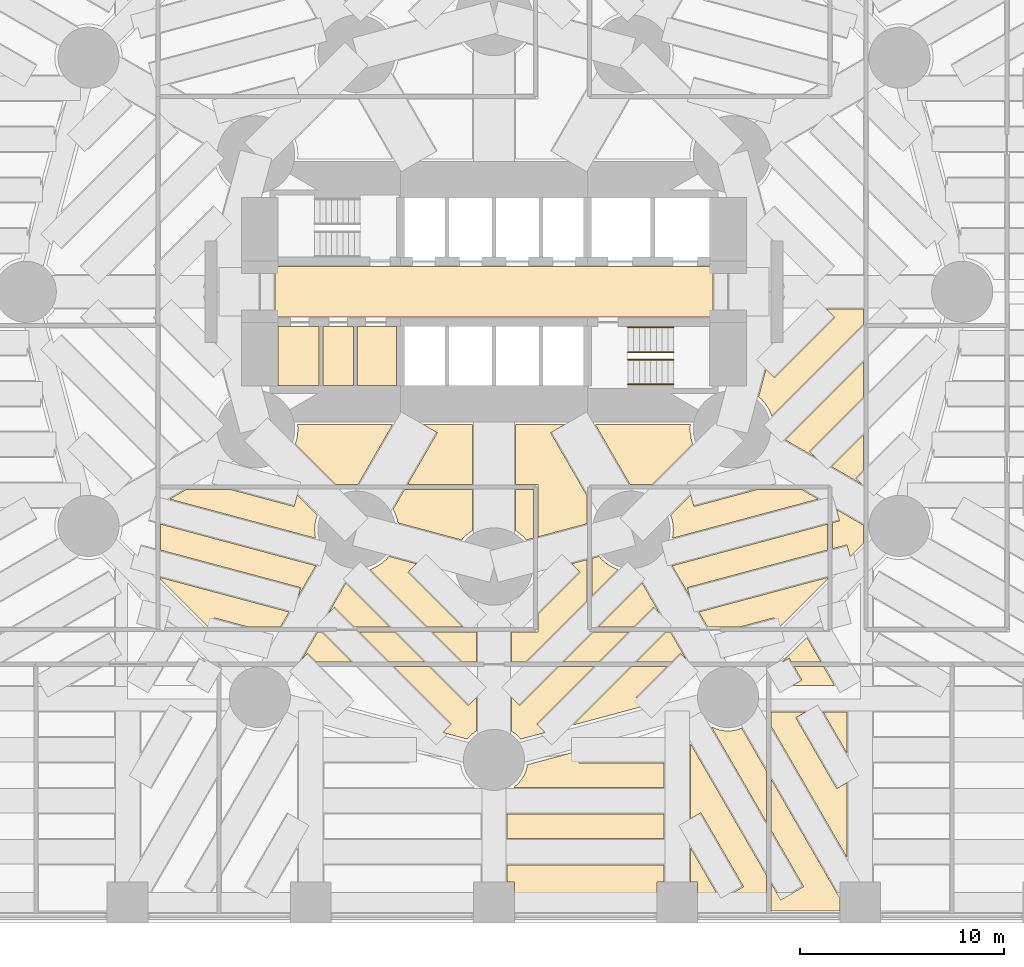
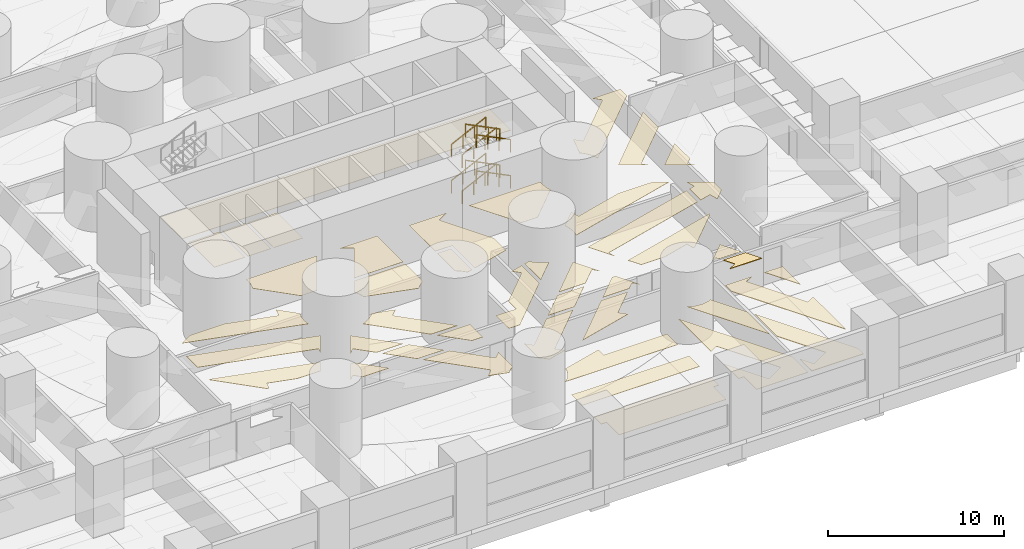
# One storey, part 13 of 17: 43 coverings, 8 railings.
"""IFC4 building model written with IfcOpenShell, lengths in metres."""

import ifcopenshell
import ifcopenshell.guid

model = None  # the IFC model being written
_history = None  # IfcOwnerHistory: only IFC2X3 demands one
_inside = {}  # id of a spatial element -> (the spatial element, [elements in it])
_under = {}  # id of a project, library or spatial element -> (it, [spatial elements below it])
_declared = {}  # id of a project -> (the project, [libraries it declares])
_typed = {}  # id of a type object -> (the type object, [elements of that type])
_made_of = {}  # id of a material, layer set ... -> (it, [elements and type objects made of it])


def new_model(schema):
    """Start an empty IFC model of exactly this schema.

    Asked for "IFC4X3", IfcOpenShell would pick the latest addendum, in which some entities
    have other attributes; the version numbers below select the first issue.
    IFC2X3 requires an IfcOwnerHistory on every rooted entity: one is made here for all.
    """
    global model, _history
    if schema == "IFC4X3":
        model = ifcopenshell.file(schema_version=(4, 3, 0, 0))
    else:
        model = ifcopenshell.file(schema=schema)
    _inside.clear()
    _under.clear()
    _declared.clear()
    _typed.clear()
    _made_of.clear()
    _history = None
    if model.schema == "IFC2X3":
        org = make("IfcOrganization", Name="unknown")
        user = make(
            "IfcPersonAndOrganization",
            ThePerson=make("IfcPerson", FamilyName="unknown"),
            TheOrganization=org,
        )
        app = make(
            "IfcApplication",
            ApplicationDeveloper=org,
            Version="unknown",
            ApplicationFullName="unknown",
            ApplicationIdentifier="unknown",
        )
        _history = make(
            "IfcOwnerHistory",
            OwningUser=user,
            OwningApplication=app,
            ChangeAction="ADDED",
            CreationDate=0,
        )
    return model


def make(cls, **values):
    """One entity of the class cls with the attributes given. An attribute that is None is left unset."""
    return model.create_entity(
        cls, **{name: value for name, value in values.items() if value is not None}
    )


def rooted(cls, **values):
    """An entity with a GlobalId (a new one), such as an element, a storey or a relation."""
    return make(cls, GlobalId=ifcopenshell.guid.new(), OwnerHistory=_history, **values)


def si_unit(unit_type, name, prefix=None):
    """IfcSIUnit, for example si_unit("LENGTHUNIT", "METRE", prefix="MILLI")."""
    return make("IfcSIUnit", UnitType=unit_type, Prefix=prefix, Name=name)


def assignment(units):
    """IfcUnitAssignment: the units of a project."""
    return None if units is None else make("IfcUnitAssignment", Units=units)


def point(xyz):
    """IfcCartesianPoint."""
    return None if xyz is None else make("IfcCartesianPoint", Coordinates=xyz)


def direction(xyz):
    """IfcDirection."""
    return None if xyz is None else make("IfcDirection", DirectionRatios=xyz)


def frame(location, z_axis=None, x_axis=None):
    """IfcAxis2Placement3D, a coordinate frame: its origin and axes. An axis left out is left unset."""
    return make(
        "IfcAxis2Placement3D",
        Location=point(location),
        Axis=direction(z_axis),
        RefDirection=direction(x_axis),
    )


def frame_2d(location, x_axis=None):
    """IfcAxis2Placement2D, a coordinate frame in the plane: its origin and x axis."""
    return make(
        "IfcAxis2Placement2D", Location=point(location), RefDirection=direction(x_axis)
    )


def origin():
    """The frame at (0, 0, 0) with its axes left unset."""
    return frame((0.0, 0.0, 0.0))


def origin_2d():
    """The frame at (0, 0) in the plane with its x axis left unset."""
    return frame_2d((0.0, 0.0))


def place(relative_to, where):
    """IfcLocalPlacement: puts the frame where relative to a parent placement (None: the world)."""
    return make(
        "IfcLocalPlacement", PlacementRelTo=relative_to, RelativePlacement=where
    )


def context(
    kind, dimensions, precision=None, world=None, true_north=None, identifier=None
):
    """IfcGeometricRepresentationContext, for example the 3D "Model" context."""
    return make(
        "IfcGeometricRepresentationContext",
        ContextIdentifier=identifier,
        ContextType=kind,
        CoordinateSpaceDimension=dimensions,
        Precision=precision,
        WorldCoordinateSystem=world,
        TrueNorth=true_north,
    )


def subcontext(parent, identifier, kind, view, scale=None):
    """IfcGeometricRepresentationSubContext, for example "Body" below "Model"."""
    return make(
        "IfcGeometricRepresentationSubContext",
        ContextIdentifier=identifier,
        ContextType=kind,
        ParentContext=parent,
        TargetScale=scale,
        TargetView=view,
    )


def project(units=None, contexts=None):
    """IfcProject with its units and contexts."""
    return rooted(
        "IfcProject",
        Name="project",
        RepresentationContexts=contexts,
        UnitsInContext=assignment(units),
    )


def spatial(cls, under=None, at=None, **own):
    """A site, building, storey or space (cls), placed at a placement, below another one or the project."""
    s = rooted(cls, ObjectPlacement=at, **own)
    if under is not None:
        _under.setdefault(under.id(), (under, []))[1].append(s)
    return s


def polyline(points):
    """IfcPolyline through the points."""
    return make("IfcPolyline", Points=[point(p) for p in points])


def profile(cls, at=None, kind="AREA", **sizes):
    """A parametric profile (cls). Its sizes go by their IFC names, for example OverallWidth=200.0."""
    return make(cls, ProfileType=kind, Position=at, **sizes)


def circle(**sizes):
    """IfcCircleProfileDef."""
    return profile("IfcCircleProfileDef", **sizes)


def outline(outer, holes=None, kind="AREA"):
    """IfcArbitraryClosedProfileDef: a profile drawn as a closed curve; with holes, ...WithVoids."""
    if holes is None:
        return make("IfcArbitraryClosedProfileDef", ProfileType=kind, OuterCurve=outer)
    return make(
        "IfcArbitraryProfileDefWithVoids",
        ProfileType=kind,
        OuterCurve=outer,
        InnerCurves=holes,
    )


def extrude(swept, where, along, depth):
    """IfcExtrudedAreaSolid: the profile swept, set in the frame where, extruded along a direction by depth."""
    return make(
        "IfcExtrudedAreaSolid",
        SweptArea=swept,
        Position=where,
        ExtrudedDirection=direction(along),
        Depth=depth,
    )


def shape(context_of_items, identifier, shape_type, items):
    """IfcShapeRepresentation: the items that make up one representation, for example the "Body"."""
    return make(
        "IfcShapeRepresentation",
        ContextOfItems=context_of_items,
        RepresentationIdentifier=identifier,
        RepresentationType=shape_type,
        Items=items,
    )


def material(Name=None, Category=None):
    """IfcMaterial."""
    return make("IfcMaterial", Name=Name, Category=Category)


def layer(
    of_material, thickness, ventilated=None, Name=None, Category=None, Priority=None
):
    """IfcMaterialLayer: one layer of a wall or slab, of a material (None: an air gap)."""
    return make(
        "IfcMaterialLayer",
        Material=of_material,
        LayerThickness=thickness,
        IsVentilated=ventilated,
        Name=Name,
        Category=Category,
        Priority=Priority,
    )


def layer_set(layers, Name=None):
    """IfcMaterialLayerSet."""
    return make("IfcMaterialLayerSet", MaterialLayers=layers, LayerSetName=Name)


def made_of(thing, what):
    """Note that an element or type object is made of a material, layer set ...; save() writes the relation."""
    if what is not None:
        _made_of.setdefault(what.id(), (what, []))[1].append(thing)
    return thing


def type_object(cls, material=None, **own):
    """A type object (cls), such as IfcWallType, which elements share."""
    return made_of(rooted(cls, **own), material)


def element(
    cls,
    number,
    at=None,
    inside=None,
    cuts=None,
    type_object=None,
    material=None,
    context=None,
    identifier="Body",
    shape_type=None,
    held_by="IfcProductDefinitionShape",
    body=None,
    shapes=None,
    **own,
):
    """One element of the class cls, such as IfcWall. Its Tag is "e" and its number.

    at: its placement. inside: the storey or other place that contains it. cuts: it is an
    opening in that element (IfcRelVoidsElement). A single representation is given by context,
    identifier, shape_type and body (its items); several are given by shapes. held_by: the class
    of the entity that holds the representations. save() writes the other relations.
    """
    e = rooted(cls, Tag="e%d" % number, ObjectPlacement=at, **own)
    if body is not None:
        shapes = [shape(context, identifier, shape_type, body)]
    if shapes is not None:
        e.Representation = make(held_by, Representations=shapes)
    if inside is not None:
        _inside.setdefault(inside.id(), (inside, []))[1].append(e)
    if cuts is not None:
        rooted(
            "IfcRelVoidsElement", RelatingBuildingElement=cuts, RelatedOpeningElement=e
        )
    if type_object is not None:
        _typed.setdefault(type_object.id(), (type_object, []))[1].append(e)
    return made_of(e, material)


def aggregate(whole, parts):
    """IfcRelAggregates: a whole, such as a stair, and the parts it consists of."""
    return rooted("IfcRelAggregates", RelatingObject=whole, RelatedObjects=parts)


def save(model, path):
    """Write the relations noted so far, then the file.

    IfcRelAggregates (storeys below a building ...), IfcRelContainedInSpatialStructure (elements
    in a storey), IfcRelDefinesByType, IfcRelAssociatesMaterial and IfcRelDeclares: one each for
    every whole, place, type object, material and project.
    """
    for whole, parts in _under.values():
        aggregate(whole, parts)
    for where, things in _inside.values():
        rooted(
            "IfcRelContainedInSpatialStructure",
            RelatedElements=things,
            RelatingStructure=where,
        )
    for kind, things in _typed.values():
        rooted("IfcRelDefinesByType", RelatedObjects=things, RelatingType=kind)
    for what, things in _made_of.values():
        rooted("IfcRelAssociatesMaterial", RelatedObjects=things, RelatingMaterial=what)
    for by, libraries in _declared.values():
        rooted("IfcRelDeclares", RelatingContext=by, RelatedDefinitions=libraries)
    model.write(path)


model = new_model("IFC4")

# Units and contexts
model_context = context("Model", 3, precision=1e-05, world=origin(), true_north=direction((0.0, 1.0)))
body_context = subcontext(model_context, "Body", "Model", "MODEL_VIEW")
ifc_project = project(units=[si_unit("LENGTHUNIT", "METRE"), si_unit("AREAUNIT", "SQUARE_METRE"), si_unit("VOLUMEUNIT", "CUBIC_METRE"), si_unit("PLANEANGLEUNIT", "RADIAN"), si_unit("MASSUNIT", "GRAM", prefix="KILO")], contexts=[model_context])

# Site, building, storey
site_placement = place(None, origin())
site = spatial("IfcSite", under=ifc_project, at=site_placement, CompositionType="ELEMENT")
building_placement = place(site_placement, origin())
building = spatial("IfcBuilding", under=site, at=building_placement, Name="Qaws Media Tower", CompositionType="ELEMENT")
storey_placement = place(building_placement, frame((0.0, 0.0, 15.0)))
storey = spatial("IfcBuildingStorey", under=building, at=storey_placement, Name="L02", CompositionType="ELEMENT", Elevation=15.0)

# Coverings
ifc_material_1 = material(Name="40 perforated acoustic panels with mineral wool backing, suspended", Category="mineral fibre")
ifc_layer_1 = layer(ifc_material_1, 0.0400390625)
ifc_layer_set_1 = layer_set([ifc_layer_1], Name="Acoustic panel ceiling 40")
covering_type_1 = type_object("IfcCoveringType", Name="Acoustic panel ceiling 40", PredefinedType="CEILING", material=ifc_layer_set_1)
covering_1_placement = place(storey_placement, frame((0.0, 0.0, 2.719970703125)))
element("IfcCovering", 1, at=covering_1_placement, inside=storey, type_object=covering_type_1, Name="CL3 ceiling L02-03 Edit suite 1", PredefinedType="CEILING", context=body_context, shape_type="SweptSolid", body=[
    extrude(outline(polyline([(77.0, 19.570068359375), (73.6201171875, 19.570068359375), (73.6201171875, 20.933349609375), (74.086669921875, 20.125), (75.21240234375, 20.77490234375), (73.6201171875, 23.533203125), (73.6201171875, 26.051025390625), (77.0, 20.19677734375), (77.0, 19.570068359375)])), origin(), (0.0, 0.0, 1.0), 0.0400390625),
])
covering_2_placement = place(storey_placement, frame((0.0, 0.0, 2.719970703125)))
element("IfcCovering", 2, at=covering_2_placement, inside=storey, type_object=covering_type_1, Name="CL3 ceiling L02-03 Edit suite 1", PredefinedType="CEILING", context=body_context, shape_type="SweptSolid", body=[
    extrude(outline(polyline([(73.6201171875, 29.35009765625), (75.30517578125, 29.35009765625), (74.828857421875, 29.074951171875), (76.837158203125, 25.596435546875), (77.35009765625, 25.892578125), (77.35009765625, 22.1904296875), (73.6201171875, 28.65087890625), (73.6201171875, 29.35009765625)])), origin(), (0.0, 0.0, 1.0), 0.0400390625),
])
covering_3_placement = place(storey_placement, frame((0.0, 0.0, 2.719970703125)))
element("IfcCovering", 3, at=covering_3_placement, inside=storey, type_object=covering_type_1, Name="CL3 ceiling L02-03 Edit suite 1", PredefinedType="CEILING", context=body_context, shape_type="SweptSolid", body=[
    extrude(outline(polyline([(76.201416015625, 31.580078125), (76.73828125, 30.64990234375), (74.649658203125, 30.64990234375), (75.1259765625, 30.925048828125), (74.747802734375, 31.580078125), (76.201416015625, 31.580078125)])), origin(), (0.0, 0.0, 1.0), 0.0400390625),
])
covering_4_placement = place(storey_placement, frame((0.0, 0.0, 2.719970703125)))
element("IfcCovering", 4, at=covering_4_placement, inside=storey, type_object=covering_type_1, Name="CL3 ceiling L02-03 Edit suite 1", PredefinedType="CEILING", context=body_context, shape_type="SweptSolid", body=[
    extrude(outline(polyline([(76.171142578125, 29.35009765625), (77.35009765625, 29.35009765625), (77.35009765625, 27.30810546875), (76.171142578125, 29.35009765625)])), origin(), (0.0, 0.0, 1.0), 0.0400390625),
])
ifc_material_2 = material(Name="600 x 600 mineral fibre tiles in exposed grid, suspended", Category="mineral fibre")
ifc_layer_2 = layer(ifc_material_2, 0.02001953125)
ifc_layer_set_2 = layer_set([ifc_layer_2], Name="Mineral fibre tile ceiling 20")
covering_type_2 = type_object("IfcCoveringType", Name="Mineral fibre tile ceiling 20", PredefinedType="CEILING", material=ifc_layer_set_2)
covering_5_placement = place(storey_placement, frame((0.0, 0.0, 2.719970703125)))
element("IfcCovering", 5, at=covering_5_placement, inside=storey, type_object=covering_type_2, Name="CL1 ceiling L02-00 Production foyer", PredefinedType="CEILING", context=body_context, shape_type="SweptSolid", body=[
    extrude(outline(polyline([(64.580078125, 38.607177734375), (62.169921875, 37.96142578125), (62.169921875, 40.52001953125), (61.050048828125, 40.52001953125), (61.050048828125, 43.47998046875), (63.4873046875, 43.47998046875), (62.78564453125, 43.074951171875), (64.580078125, 39.96728515625), (64.580078125, 38.607177734375)])), origin(), (0.0, 0.0, 1.0), 0.02001953125),
])
covering_6_placement = place(storey_placement, frame((0.0, 0.0, 2.719970703125)))
element("IfcCovering", 6, at=covering_6_placement, inside=storey, type_object=covering_type_2, Name="CL1 ceiling L02-00 Production foyer", PredefinedType="CEILING", context=body_context, shape_type="SweptSolid", body=[
    extrude(outline(polyline([(66.685791015625, 40.52001953125), (64.976806640625, 43.47998046875), (69.646484375, 43.47998046875), (69.63134765625, 43.25), (69.64892578125, 42.981201171875), (69.701416015625, 42.716796875), (69.76611328125, 42.52685546875), (67.75927734375, 40.52001953125), (66.685791015625, 40.52001953125)])), origin(), (0.0, 0.0, 1.0), 0.02001953125),
])
covering_7_placement = place(storey_placement, frame((0.0, 0.0, 2.719970703125)))
element("IfcCovering", 7, at=covering_7_placement, inside=storey, type_object=covering_type_2, Name="CL1 ceiling L02-00 Production foyer", PredefinedType="CEILING", context=body_context, shape_type="SweptSolid", body=[
    extrude(outline(polyline([(50.298583984375, 42.716796875), (50.35107421875, 42.981201171875), (50.36865234375, 43.25), (50.353515625, 43.47998046875), (55.023193359375, 43.47998046875), (53.314208984375, 40.52001953125), (52.24072265625, 40.52001953125), (50.23388671875, 42.52685546875), (50.298583984375, 42.716796875)])), origin(), (0.0, 0.0, 1.0), 0.02001953125),
])
covering_8_placement = place(storey_placement, frame((0.0, 0.0, 2.719970703125)))
element("IfcCovering", 8, at=covering_8_placement, inside=storey, type_object=covering_type_2, Name="CL1 ceiling L02-00 Production foyer", PredefinedType="CEILING", context=body_context, shape_type="SweptSolid", body=[
    extrude(outline(polyline([(78.14990234375, 48.40185546875), (73.643310546875, 43.89501953125), (73.594482421875, 44.038330078125), (73.475341796875, 44.280029296875), (73.32568359375, 44.50390625), (73.14794921875, 44.70654296875), (72.9970703125, 44.839111328125), (73.360595703125, 46.195068359375), (73.779296875, 45.7763671875), (76.743408203125, 48.740478515625), (76.333740234375, 49.14990234375), (78.14990234375, 49.14990234375), (78.14990234375, 48.40185546875)])), origin(), (0.0, 0.0, 1.0), 0.02001953125),
])
covering_9_placement = place(storey_placement, frame((0.0, 0.0, 2.719970703125)))
element("IfcCovering", 9, at=covering_9_placement, inside=storey, type_object=covering_type_2, Name="CL1 ceiling L02-00 Production foyer", PredefinedType="CEILING", context=body_context, shape_type="SweptSolid", body=[
    extrude(outline(polyline([(58.949951171875, 43.47998046875), (58.949951171875, 40.52001953125), (55.7392578125, 40.52001953125), (57.21435546875, 43.074951171875), (56.5126953125, 43.47998046875), (58.949951171875, 43.47998046875)])), origin(), (0.0, 0.0, 1.0), 0.02001953125),
])
covering_10_placement = place(storey_placement, frame((0.0, 0.0, 2.719970703125)))
element("IfcCovering", 10, at=covering_10_placement, inside=storey, type_object=covering_type_2, Name="CL1 ceiling L02-00 Production foyer", PredefinedType="CEILING", context=body_context, shape_type="SweptSolid", body=[
    extrude(outline(polyline([(60.85009765625, 31.820068359375), (60.85009765625, 33.280029296875), (61.236328125, 33.280029296875), (61.259521484375, 33.256591796875), (61.282958984375, 33.280029296875), (62.169921875, 33.280029296875), (62.169921875, 34.1669921875), (64.2236328125, 36.220703125), (63.804931640625, 36.639404296875), (64.580078125, 36.84716796875), (64.580078125, 34.831787109375), (61.568115234375, 31.820068359375), (60.85009765625, 31.820068359375)])), origin(), (0.0, 0.0, 1.0), 0.02001953125),
])
covering_11_placement = place(storey_placement, frame((0.0, 0.0, 2.719970703125)))
element("IfcCovering", 11, at=covering_11_placement, inside=storey, type_object=covering_type_2, Name="CL1 ceiling L02-00 Production foyer", PredefinedType="CEILING", context=body_context, shape_type="SweptSolid", body=[
    extrude(outline(polyline([(78.14990234375, 44.818115234375), (75.50048828125, 42.168701171875), (75.82373046875, 41.845703125), (74.3076171875, 42.720947265625), (78.14990234375, 46.563232421875), (78.14990234375, 44.818115234375)])), origin(), (0.0, 0.0, 1.0), 0.02001953125),
])
covering_12_placement = place(storey_placement, frame((0.0, 0.0, 2.719970703125)))
element("IfcCovering", 12, at=covering_12_placement, inside=storey, type_object=covering_type_2, Name="CL1 ceiling L02-00 Production foyer", PredefinedType="CEILING", context=body_context, shape_type="SweptSolid", body=[
    extrude(outline(polyline([(54.84814453125, 31.820068359375), (53.38818359375, 33.280029296875), (55.13330078125, 33.280029296875), (56.59326171875, 31.820068359375), (54.84814453125, 31.820068359375)])), origin(), (0.0, 0.0, 1.0), 0.02001953125),
])
covering_13_placement = place(storey_placement, frame((0.0, 0.0, 2.719970703125)))
element("IfcCovering", 13, at=covering_13_placement, inside=storey, type_object=covering_type_2, Name="CL1 ceiling L02-00 Production foyer", PredefinedType="CEILING", context=body_context, shape_type="SweptSolid", body=[
    extrude(outline(polyline([(63.40673828125, 31.820068359375), (64.86669921875, 33.280029296875), (66.61181640625, 33.280029296875), (65.15185546875, 31.820068359375), (63.40673828125, 31.820068359375)])), origin(), (0.0, 0.0, 1.0), 0.02001953125),
])
covering_14_placement = place(storey_placement, frame((0.0, 0.0, 2.719970703125)))
element("IfcCovering", 14, at=covering_14_placement, inside=storey, type_object=covering_type_2, Name="CL1 ceiling L02-00 Production foyer", PredefinedType="CEILING", context=body_context, shape_type="SweptSolid", body=[
    extrude(outline(polyline([(78.14990234375, 37.650634765625), (77.493408203125, 36.993896484375), (77.340087890625, 37.566162109375), (76.6201171875, 37.373291015625), (76.6201171875, 38.65087890625), (76.973876953125, 38.74560546875), (76.823974609375, 39.30517578125), (78.14990234375, 38.53955078125), (78.14990234375, 37.650634765625)])), origin(), (0.0, 0.0, 1.0), 0.02001953125),
])
covering_15_placement = place(storey_placement, frame((0.0, 0.0, 2.719970703125)))
element("IfcCovering", 15, at=covering_15_placement, inside=storey, type_object=covering_type_2, Name="CL1 ceiling L02-00 Production foyer", PredefinedType="CEILING", context=body_context, shape_type="SweptSolid", body=[
    extrude(outline(polyline([(58.431884765625, 31.820068359375), (56.9716796875, 33.280029296875), (58.717041015625, 33.280029296875), (58.740478515625, 33.256591796875), (58.763671875, 33.280029296875), (59.14990234375, 33.280029296875), (59.14990234375, 31.820068359375), (58.431884765625, 31.820068359375)])), origin(), (0.0, 0.0, 1.0), 0.02001953125),
])
covering_16_placement = place(storey_placement, frame((0.0, 0.0, 2.719970703125)))
element("IfcCovering", 16, at=covering_16_placement, inside=storey, type_object=covering_type_2, Name="CL1 ceiling L02-00 Production foyer", PredefinedType="CEILING", context=body_context, shape_type="SweptSolid", body=[
    extrude(outline(polyline([(66.990478515625, 31.820068359375), (68.450439453125, 33.280029296875), (68.671875, 33.280029296875), (69.466064453125, 31.904296875), (69.14306640625, 32.227294921875), (68.735595703125, 31.820068359375), (66.990478515625, 31.820068359375)])), origin(), (0.0, 0.0, 1.0), 0.02001953125),
])
covering_17_placement = place(storey_placement, frame((0.0, 0.0, 2.719970703125)))
element("IfcCovering", 17, at=covering_17_placement, inside=storey, type_object=covering_type_2, Name="CL1 ceiling L02-00 Production foyer", PredefinedType="CEILING", context=body_context, shape_type="SweptSolid", body=[
    extrude(outline(polyline([(51.264404296875, 31.820068359375), (50.85693359375, 32.227294921875), (50.533935546875, 31.904296875), (51.328125, 33.280029296875), (51.549560546875, 33.280029296875), (53.009521484375, 31.820068359375), (51.264404296875, 31.820068359375)])), origin(), (0.0, 0.0, 1.0), 0.02001953125),
])
covering_18_placement = place(storey_placement, frame((0.0, 0.0, 2.719970703125)))
element("IfcCovering", 18, at=covering_18_placement, inside=storey, type_object=covering_type_2, Name="CL1 ceiling L02-00 Production foyer", PredefinedType="CEILING", context=body_context, shape_type="SweptSolid", body=[
    extrude(outline(polyline([(78.14990234375, 41.234375), (77.772705078125, 40.85693359375), (78.095703125, 40.533935546875), (76.57958984375, 41.4091796875), (78.14990234375, 42.9794921875), (78.14990234375, 41.234375)])), origin(), (0.0, 0.0, 1.0), 0.02001953125),
])
covering_19_placement = place(storey_placement, frame((0.0, 0.0, 2.719970703125)))
element("IfcCovering", 19, at=covering_19_placement, inside=storey, type_object=covering_type_2, Name="CL1 ceiling L02-00 Production foyer", PredefinedType="CEILING", context=body_context, shape_type="SweptSolid", body=[
    extrude(outline(polyline([(74.609130859375, 31.820068359375), (74.505126953125, 32.0), (74.193115234375, 31.820068359375), (74.15771484375, 31.820068359375), (75.365478515625, 33.027587890625), (76.062744140625, 31.820068359375), (74.609130859375, 31.820068359375)])), origin(), (0.0, 0.0, 1.0), 0.02001953125),
])
ifc_material_3 = material(Name="Two layers 12.5 moisture-resistant plasterboard on suspended metal furring", Category="gypsum")
ifc_layer_3 = layer(ifc_material_3, 0.02490234375)
ifc_layer_set_3 = layer_set([ifc_layer_3], Name="Plasterboard ceiling 25")
covering_type_3 = type_object("IfcCoveringType", Name="Plasterboard ceiling 25", PredefinedType="CEILING", material=ifc_layer_set_3)
covering_20_placement = place(storey_placement, frame((0.0, 0.0, 2.719970703125)))
element("IfcCovering", 20, at=covering_20_placement, inside=storey, type_object=covering_type_3, Name="CL2 ceiling L02-C01 Lift lobby", PredefinedType="CEILING", context=body_context, shape_type="SweptSolid", body=[
    extrude(outline(polyline([(49.25, 48.75), (49.25, 51.25), (70.75, 51.25), (70.75, 48.75), (49.25, 48.75)])), origin(), (0.0, 0.0, 1.0), 0.025146484375),
])
covering_21_placement = place(storey_placement, frame((0.0, 0.0, 2.719970703125)))
element("IfcCovering", 21, at=covering_21_placement, inside=storey, type_object=covering_type_3, Name="CL2 ceiling L02-11 News production office", PredefinedType="CEILING", context=body_context, shape_type="SweptSolid", body=[
    extrude(outline(polyline([(43.6201171875, 38.58642578125), (51.248779296875, 36.54248046875), (50.37353515625, 35.0263671875), (50.49169921875, 35.467529296875), (43.6201171875, 37.308837890625), (43.6201171875, 38.58642578125)])), origin(), (0.0, 0.0, 1.0), 0.025146484375),
])
covering_22_placement = place(storey_placement, frame((0.0, 0.0, 2.719970703125)))
element("IfcCovering", 22, at=covering_22_placement, inside=storey, type_object=covering_type_3, Name="CL2 ceiling L02-11 News production office", PredefinedType="CEILING", context=body_context, shape_type="SweptSolid", body=[
    extrude(outline(polyline([(51.26025390625, 38.841796875), (51.20751953125, 38.577392578125), (51.18994140625, 38.30859375), (51.20751953125, 38.039794921875), (51.2373046875, 37.891357421875), (44.05859375, 39.814697265625), (44.864501953125, 40.280029296875), (47.090576171875, 40.280029296875), (50.1787109375, 39.452392578125), (50.331787109375, 40.024658203125), (51.32470703125, 39.031982421875), (51.26025390625, 38.841796875)])), origin(), (0.0, 0.0, 1.0), 0.025146484375),
])
covering_23_placement = place(storey_placement, frame((0.0, 0.0, 2.719970703125)))
element("IfcCovering", 23, at=covering_23_placement, inside=storey, type_object=covering_type_3, Name="CL2 ceiling L02-11 News production office", PredefinedType="CEILING", context=body_context, shape_type="SweptSolid", body=[
    extrude(outline(polyline([(55.23974609375, 38.841796875), (55.1533203125, 39.096923828125), (55.044677734375, 39.317138671875), (55.6005859375, 40.280029296875), (58.949951171875, 40.280029296875), (58.949951171875, 38.2705078125), (58.74609375, 38.13427734375), (58.54345703125, 37.95654296875), (58.410888671875, 37.8056640625), (55.279052734375, 38.64501953125), (55.23974609375, 38.841796875)])), origin(), (0.0, 0.0, 1.0), 0.025146484375),
])
covering_24_placement = place(storey_placement, frame((0.0, 0.0, 2.719970703125)))
element("IfcCovering", 24, at=covering_24_placement, inside=storey, type_object=covering_type_3, Name="CL2 ceiling L02-11 News production office", PredefinedType="CEILING", context=body_context, shape_type="SweptSolid", body=[
    extrude(outline(polyline([(47.96923828125, 33.52001953125), (46.24365234375, 33.982421875), (46.11962890625, 33.52001953125), (45.980712890625, 33.52001953125), (43.6201171875, 35.880615234375), (43.6201171875, 35.962890625), (49.93701171875, 34.2705078125), (49.50390625, 33.52001953125), (47.96923828125, 33.52001953125)])), origin(), (0.0, 0.0, 1.0), 0.025146484375),
])
covering_25_placement = place(storey_placement, frame((0.0, 0.0, 2.719970703125)))
element("IfcCovering", 25, at=covering_25_placement, inside=storey, type_object=covering_type_3, Name="CL2 ceiling L02-11 News production office", PredefinedType="CEILING", context=body_context, shape_type="SweptSolid", body=[
    extrude(outline(polyline([(54.038330078125, 36.405517578125), (54.280029296875, 36.524658203125), (54.50390625, 36.67431640625), (54.70654296875, 36.85205078125), (54.839111328125, 37.0029296875), (56.195068359375, 36.639404296875), (55.7763671875, 36.220703125), (58.47705078125, 33.52001953125), (56.731689453125, 33.52001953125), (53.89501953125, 36.356689453125), (54.038330078125, 36.405517578125)])), origin(), (0.0, 0.0, 1.0), 0.025146484375),
])
covering_26_placement = place(storey_placement, frame((0.0, 0.0, 2.719970703125)))
element("IfcCovering", 26, at=covering_26_placement, inside=storey, type_object=covering_type_3, Name="CL2 ceiling L02-11 News production office", PredefinedType="CEILING", context=body_context, shape_type="SweptSolid", body=[
    extrude(outline(polyline([(53.148193359375, 33.52001953125), (52.168701171875, 34.49951171875), (51.845703125, 34.17626953125), (52.720947265625, 35.6923828125), (54.893310546875, 33.52001953125), (53.148193359375, 33.52001953125)])), origin(), (0.0, 0.0, 1.0), 0.025146484375),
])
covering_27_placement = place(storey_placement, frame((0.0, 0.0, 2.719970703125)))
element("IfcCovering", 27, at=covering_27_placement, inside=storey, type_object=covering_type_3, Name="CL2 ceiling L02-11 News production office", PredefinedType="CEILING", context=body_context, shape_type="SweptSolid", body=[
    extrude(outline(polyline([(61.929931640625, 40.280029296875), (61.929931640625, 37.897216796875), (61.589111328125, 37.8056640625), (61.45654296875, 37.95654296875), (61.25390625, 38.13427734375), (61.050048828125, 38.2705078125), (61.050048828125, 40.280029296875), (61.929931640625, 40.280029296875)])), origin(), (0.0, 0.0, 1.0), 0.025146484375),
])
covering_28_placement = place(storey_placement, frame((0.0, 0.0, 2.719970703125)))
element("IfcCovering", 28, at=covering_28_placement, inside=storey, type_object=covering_type_3, Name="CL2 ceiling L02-14 Production management office", PredefinedType="CEILING", context=body_context, shape_type="SweptSolid", body=[
    extrude(outline(polyline([(68.0, 21.0), (68.0, 19.570068359375), (61.0, 19.570068359375), (61.0, 21.0), (60.64990234375, 21.0), (60.64990234375, 21.85009765625), (68.35009765625, 21.85009765625), (68.35009765625, 21.0), (68.0, 21.0)])), origin(), (0.0, 0.0, 1.0), 0.025146484375),
])
covering_29_placement = place(storey_placement, frame((0.0, 0.0, 2.719970703125)))
element("IfcCovering", 29, at=covering_29_placement, inside=storey, type_object=covering_type_3, Name="CL2 ceiling L02-14 Production management office", PredefinedType="CEILING", context=body_context, shape_type="SweptSolid", body=[
    extrude(outline(polyline([(70.0, 19.570068359375), (70.0, 21.0), (69.64990234375, 21.0), (69.64990234375, 22.69189453125), (71.132080078125, 20.125), (72.2578125, 20.77490234375), (70.162841796875, 24.403564453125), (69.64990234375, 24.107421875), (69.64990234375, 27.8095703125), (73.3798828125, 21.34912109375), (73.3798828125, 19.570068359375), (70.0, 19.570068359375)])), origin(), (0.0, 0.0, 1.0), 0.025146484375),
])
covering_30_placement = place(storey_placement, frame((0.0, 0.0, 2.719970703125)))
element("IfcCovering", 30, at=covering_30_placement, inside=storey, type_object=covering_type_3, Name="CL2 ceiling L02-14 Production management office", PredefinedType="CEILING", context=body_context, shape_type="SweptSolid", body=[
    extrude(outline(polyline([(68.35009765625, 23.14990234375), (60.64990234375, 23.14990234375), (60.64990234375, 24.35009765625), (68.35009765625, 24.35009765625), (68.35009765625, 23.14990234375)])), origin(), (0.0, 0.0, 1.0), 0.025146484375),
])
covering_31_placement = place(storey_placement, frame((0.0, 0.0, 2.719970703125)))
element("IfcCovering", 31, at=covering_31_placement, inside=storey, type_object=covering_type_3, Name="CL2 ceiling L02-14 Production management office", PredefinedType="CEILING", context=body_context, shape_type="SweptSolid", body=[
    extrude(outline(polyline([(61.4375, 26.169921875), (61.53369140625, 26.36474609375), (61.603515625, 26.5703125), (61.642578125, 26.76708984375), (64.18408203125, 27.4482421875), (64.18408203125, 26.85009765625), (68.35009765625, 26.85009765625), (68.35009765625, 25.64990234375), (60.961181640625, 25.64990234375), (61.010498046875, 25.68310546875), (61.173828125, 25.826171875), (61.31689453125, 25.989501953125), (61.4375, 26.169921875)])), origin(), (0.0, 0.0, 1.0), 0.025146484375),
])
covering_32_placement = place(storey_placement, frame((0.0, 0.0, 2.719970703125)))
element("IfcCovering", 32, at=covering_32_placement, inside=storey, type_object=covering_type_3, Name="CL2 ceiling L02-14 Production management office", PredefinedType="CEILING", context=body_context, shape_type="SweptSolid", body=[
    extrude(outline(polyline([(56.833251953125, 31.580078125), (58.740478515625, 29.6728515625), (59.14990234375, 30.08251953125), (59.14990234375, 28.42431640625), (58.989501953125, 28.31689453125), (58.826171875, 28.173828125), (58.69384765625, 28.02294921875), (57.483154296875, 28.347412109375), (57.902099609375, 28.76611328125), (55.088134765625, 31.580078125), (56.833251953125, 31.580078125)])), origin(), (0.0, 0.0, 1.0), 0.025146484375),
])
covering_33_placement = place(storey_placement, frame((0.0, 0.0, 2.719970703125)))
element("IfcCovering", 33, at=covering_33_placement, inside=storey, type_object=covering_type_3, Name="CL2 ceiling L02-14 Production management office", PredefinedType="CEILING", context=body_context, shape_type="SweptSolid", body=[
    extrude(outline(polyline([(64.911865234375, 31.580078125), (62.097900390625, 28.76611328125), (62.516845703125, 28.347412109375), (61.30615234375, 28.02294921875), (61.173828125, 28.173828125), (61.010498046875, 28.31689453125), (60.85009765625, 28.42431640625), (60.85009765625, 30.08251953125), (61.259521484375, 29.6728515625), (63.166748046875, 31.580078125), (64.911865234375, 31.580078125)])), origin(), (0.0, 0.0, 1.0), 0.025146484375),
])
covering_34_placement = place(storey_placement, frame((0.0, 0.0, 2.719970703125)))
element("IfcCovering", 34, at=covering_34_placement, inside=storey, type_object=covering_type_3, Name="CL2 ceiling L02-14 Production management office", PredefinedType="CEILING", context=body_context, shape_type="SweptSolid", body=[
    extrude(outline(polyline([(70.669189453125, 28.644287109375), (70.86474609375, 28.5478515625), (71.0703125, 28.47802734375), (71.283203125, 28.435546875), (71.5, 28.42138671875), (71.716796875, 28.435546875), (71.9296875, 28.47802734375), (72.13525390625, 28.5478515625), (72.1689453125, 28.564453125), (73.3798828125, 26.466796875), (73.3798828125, 23.948974609375), (70.669189453125, 28.644287109375)])), origin(), (0.0, 0.0, 1.0), 0.025146484375),
])
covering_35_placement = place(storey_placement, frame((0.0, 0.0, 2.719970703125)))
element("IfcCovering", 35, at=covering_35_placement, inside=storey, type_object=covering_type_3, Name="CL2 ceiling L02-14 Production management office", PredefinedType="CEILING", context=body_context, shape_type="SweptSolid", body=[
    extrude(outline(polyline([(68.49560546875, 31.580078125), (66.993408203125, 30.077880859375), (67.412353515625, 29.658935546875), (63.884033203125, 28.713623046875), (66.75048828125, 31.580078125), (68.49560546875, 31.580078125)])), origin(), (0.0, 0.0, 1.0), 0.025146484375),
])
covering_36_placement = place(storey_placement, frame((0.0, 0.0, 2.719970703125)))
element("IfcCovering", 36, at=covering_36_placement, inside=storey, type_object=covering_type_3, Name="CL2 ceiling L02-19 Scheduling office", PredefinedType="CEILING", context=body_context, shape_type="SweptSolid", body=[
    extrude(outline(polyline([(76.3798828125, 37.308837890625), (69.50830078125, 35.467529296875), (69.62646484375, 35.0263671875), (68.751220703125, 36.54248046875), (76.3798828125, 38.58642578125), (76.3798828125, 37.308837890625)])), origin(), (0.0, 0.0, 1.0), 0.025146484375),
])
covering_37_placement = place(storey_placement, frame((0.0, 0.0, 2.719970703125)))
element("IfcCovering", 37, at=covering_37_placement, inside=storey, type_object=covering_type_3, Name="CL2 ceiling L02-19 Scheduling office", PredefinedType="CEILING", context=body_context, shape_type="SweptSolid", body=[
    extrude(outline(polyline([(68.79248046875, 38.039794921875), (68.81005859375, 38.30859375), (68.79248046875, 38.577392578125), (68.73974609375, 38.841796875), (68.67529296875, 39.031982421875), (69.668212890625, 40.024658203125), (69.8212890625, 39.452392578125), (72.909423828125, 40.280029296875), (75.135498046875, 40.280029296875), (75.94140625, 39.814697265625), (68.7626953125, 37.891357421875), (68.79248046875, 38.039794921875)])), origin(), (0.0, 0.0, 1.0), 0.025146484375),
])
covering_38_placement = place(storey_placement, frame((0.0, 0.0, 2.719970703125)))
element("IfcCovering", 38, at=covering_38_placement, inside=storey, type_object=covering_type_3, Name="CL2 ceiling L02-19 Scheduling office", PredefinedType="CEILING", context=body_context, shape_type="SweptSolid", body=[
    extrude(outline(polyline([(76.3798828125, 35.880615234375), (74.019287109375, 33.52001953125), (73.88037109375, 33.52001953125), (73.75634765625, 33.982421875), (72.03076171875, 33.52001953125), (70.49609375, 33.52001953125), (70.06298828125, 34.2705078125), (76.3798828125, 35.962890625), (76.3798828125, 35.880615234375)])), origin(), (0.0, 0.0, 1.0), 0.025146484375),
])
covering_39_placement = place(storey_placement, frame((0.0, 0.0, 2.719970703125)))
element("IfcCovering", 39, at=covering_39_placement, inside=storey, type_object=covering_type_3, Name="CL2 ceiling L02-19 Scheduling office", PredefinedType="CEILING", context=body_context, shape_type="SweptSolid", body=[
    extrude(outline(polyline([(65.106689453125, 33.52001953125), (67.279052734375, 35.6923828125), (68.154296875, 34.17626953125), (67.831298828125, 34.49951171875), (66.851806640625, 33.52001953125), (65.106689453125, 33.52001953125)])), origin(), (0.0, 0.0, 1.0), 0.025146484375),
])
covering_40_placement = place(storey_placement, frame((0.0, 0.0, 2.719970703125)))
element("IfcCovering", 40, at=covering_40_placement, inside=storey, type_object=covering_type_3, Name="CL2 ceiling L02-19 Scheduling office", PredefinedType="CEILING", context=body_context, shape_type="SweptSolid", body=[
    extrude(outline(polyline([(64.820068359375, 36.91162109375), (65.160888671875, 37.0029296875), (65.29345703125, 36.85205078125), (65.49609375, 36.67431640625), (65.719970703125, 36.524658203125), (65.961669921875, 36.405517578125), (66.10498046875, 36.356689453125), (64.820068359375, 35.07177734375), (64.820068359375, 36.91162109375)])), origin(), (0.0, 0.0, 1.0), 0.025146484375),
])
covering_41_placement = place(storey_placement, frame((0.0, 0.0, 2.719970703125)))
element("IfcCovering", 41, at=covering_41_placement, inside=storey, type_object=covering_type_3, Name="CL2 ceiling L02-C04 WC male", PredefinedType="CEILING", context=body_context, shape_type="SweptSolid", body=[
    extrude(outline(polyline([(49.39990234375, 45.39990234375), (49.39990234375, 48.300048828125), (51.39990234375, 48.300048828125), (51.39990234375, 45.39990234375), (49.39990234375, 45.39990234375)])), origin(), (0.0, 0.0, 1.0), 0.025146484375),
])
covering_42_placement = place(storey_placement, frame((0.0, 0.0, 2.719970703125)))
element("IfcCovering", 42, at=covering_42_placement, inside=storey, type_object=covering_type_3, Name="CL2 ceiling L02-C05 WC female", PredefinedType="CEILING", context=body_context, shape_type="SweptSolid", body=[
    extrude(outline(polyline([(51.60009765625, 45.39990234375), (51.60009765625, 48.300048828125), (53.10009765625, 48.300048828125), (53.10009765625, 45.39990234375), (51.60009765625, 45.39990234375)])), origin(), (0.0, 0.0, 1.0), 0.025146484375),
])
covering_43_placement = place(storey_placement, frame((0.0, 0.0, 2.719970703125)))
element("IfcCovering", 43, at=covering_43_placement, inside=storey, type_object=covering_type_3, Name="CL2 ceiling L02-C06 Accessible WC", PredefinedType="CEILING", context=body_context, shape_type="SweptSolid", body=[
    extrude(outline(polyline([(53.300048828125, 45.39990234375), (53.300048828125, 48.300048828125), (55.199951171875, 48.300048828125), (55.199951171875, 45.39990234375), (53.300048828125, 45.39990234375)])), origin(), (0.0, 0.0, 1.0), 0.025146484375),
])

# Railings
ifc_material_4 = material(Name="Steel tube handrail", Category="steel")
railing_type = type_object("IfcRailingType", Name="Stair handrail 900", PredefinedType="HANDRAIL", material=ifc_material_4)
for number, where, name in (
    (44, (66.580078125, 48.25, 0.138916015625), "HR1 handrail S2 flight 1 L02"),
    (45, (66.580078125, 47.0400390625, 0.138916015625), "HR1 handrail S2 flight 1 L02"),
):
    element("IfcRailing", number, at=place(storey_placement, frame(where)), inside=storey, type_object=railing_type, Name=name, PredefinedType="HANDRAIL", context=body_context, shape_type="SweptSolid", body=[
        extrude(circle(Radius=0.02392578125, at=origin_2d()), frame((0.0, 0.0, 0.8759765625), z_axis=(0.895848192791, 0.0, 0.444360231651), x_axis=(0.0, 1.0, 0.0)), (0.0, 0.0, 1.0), 2.50048828125),
        extrude(circle(Radius=0.02099609375, at=origin_2d()), origin(), (0.0, 0.0, 1.0), 0.851806640625),
        extrude(circle(Radius=0.02099609375, at=origin_2d()), frame((0.74658203125, 0.0, 0.370361328125)), (0.0, 0.0, 1.0), 0.851806640625),
        extrude(circle(Radius=0.02099609375, at=origin_2d()), frame((1.493408203125, 0.0, 0.74072265625)), (0.0, 0.0, 1.0), 0.851806640625),
        extrude(circle(Radius=0.02099609375, at=origin_2d()), frame((2.239990234375, 0.0, 1.111083984375)), (0.0, 0.0, 1.0), 0.851806640625),
    ])
for number, where, name in (
    (46, (68.820068359375, 45.449951171875, 1.388916015625), "HR1 handrail S2 flight 2 L02"),
    (47, (68.820068359375, 46.659912109375, 1.388916015625), "HR1 handrail S2 flight 2 L02"),
):
    element("IfcRailing", number, at=place(storey_placement, frame(where)), inside=storey, type_object=railing_type, Name=name, PredefinedType="HANDRAIL", context=body_context, shape_type="SweptSolid", body=[
        extrude(circle(Radius=0.02392578125, at=origin_2d()), frame((0.0, 0.0, 0.8759765625), z_axis=(-0.895848192791, 0.0, 0.444360231651), x_axis=(0.0, -1.0, 0.0)), (0.0, 0.0, 1.0), 2.50048828125),
        extrude(circle(Radius=0.02099609375, at=origin_2d()), origin(), (0.0, 0.0, 1.0), 0.851806640625),
        extrude(circle(Radius=0.02099609375, at=origin_2d()), frame((-0.74658203125, 0.0, 0.370361328125)), (0.0, 0.0, 1.0), 0.851806640625),
        extrude(circle(Radius=0.02099609375, at=origin_2d()), frame((-1.493408203125, 0.0, 0.74072265625)), (0.0, 0.0, 1.0), 0.851806640625),
        extrude(circle(Radius=0.02099609375, at=origin_2d()), frame((-2.239990234375, 0.0, 1.111083984375)), (0.0, 0.0, 1.0), 0.851806640625),
    ])
for number, where, name in (
    (48, (66.580078125, 48.25, 2.638916015625), "HR1 handrail S2 flight 3 L02"),
    (49, (66.580078125, 47.0400390625, 2.638916015625), "HR1 handrail S2 flight 3 L02"),
):
    element("IfcRailing", number, at=place(storey_placement, frame(where)), inside=storey, type_object=railing_type, Name=name, PredefinedType="HANDRAIL", context=body_context, shape_type="SweptSolid", body=[
        extrude(circle(Radius=0.02392578125, at=origin_2d()), frame((0.0, 0.0, 0.8759765625), z_axis=(0.895848192791, 0.0, 0.444360231651), x_axis=(0.0, 1.0, 0.0)), (0.0, 0.0, 1.0), 2.50048828125),
        extrude(circle(Radius=0.02099609375, at=origin_2d()), origin(), (0.0, 0.0, 1.0), 0.851806640625),
        extrude(circle(Radius=0.02099609375, at=origin_2d()), frame((0.74658203125, 0.0, 0.370361328125)), (0.0, 0.0, 1.0), 0.851806640625),
        extrude(circle(Radius=0.02099609375, at=origin_2d()), frame((1.493408203125, 0.0, 0.74072265625)), (0.0, 0.0, 1.0), 0.851806640625),
        extrude(circle(Radius=0.02099609375, at=origin_2d()), frame((2.239990234375, 0.0, 1.111083984375)), (0.0, 0.0, 1.0), 0.851806640625),
    ])
for number, where, name in (
    (50, (68.820068359375, 45.449951171875, 3.888916015625), "HR1 handrail S2 flight 4 L02"),
    (51, (68.820068359375, 46.659912109375, 3.888916015625), "HR1 handrail S2 flight 4 L02"),
):
    element("IfcRailing", number, at=place(storey_placement, frame(where)), inside=storey, type_object=railing_type, Name=name, PredefinedType="HANDRAIL", context=body_context, shape_type="SweptSolid", body=[
        extrude(circle(Radius=0.02392578125, at=origin_2d()), frame((0.0, 0.0, 0.8759765625), z_axis=(-0.895848192791, 0.0, 0.444360231651), x_axis=(0.0, -1.0, 0.0)), (0.0, 0.0, 1.0), 2.50048828125),
        extrude(circle(Radius=0.02099609375, at=origin_2d()), origin(), (0.0, 0.0, 1.0), 0.851806640625),
        extrude(circle(Radius=0.02099609375, at=origin_2d()), frame((-0.74658203125, 0.0, 0.370361328125)), (0.0, 0.0, 1.0), 0.851806640625),
        extrude(circle(Radius=0.02099609375, at=origin_2d()), frame((-1.493408203125, 0.0, 0.74072265625)), (0.0, 0.0, 1.0), 0.851806640625),
        extrude(circle(Radius=0.02099609375, at=origin_2d()), frame((-2.239990234375, 0.0, 1.111083984375)), (0.0, 0.0, 1.0), 0.851806640625),
    ])

save(model, "model.ifc")
